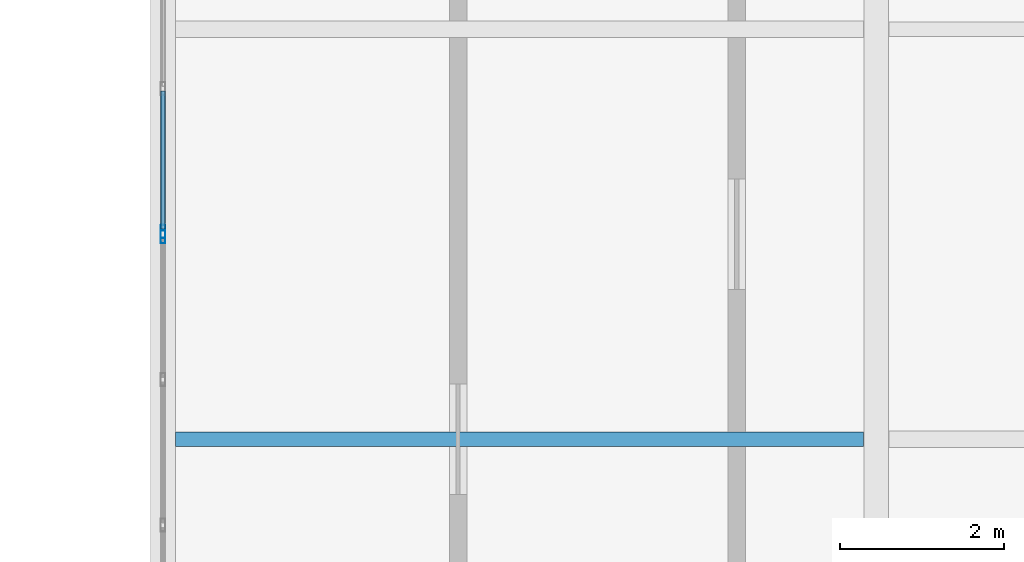
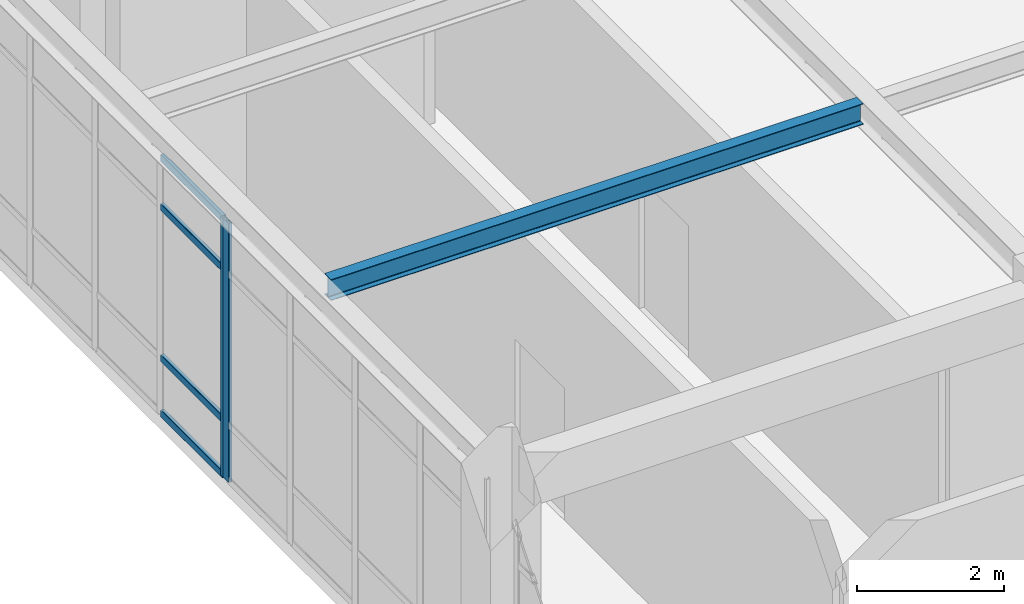
# One storey, part 26 of 96: 6 members, 1 beam, 2 elements without a shape of their own.
"""IFC4 building model written with IfcOpenShell, lengths in metres."""

from ifc_helpers import new_model, si_unit, derived_unit, direction, frame, origin, origin_2d, place, context, subcontext, project, spatial, hollow_rectangle, i_section, extrude, material, layer, layer_set, material_profile, profile_set, type_object, element, aggregate, save


model = new_model("IFC4")

# Units and contexts
model_context = context("Model", 3, precision=1e-05, world=origin(), true_north=direction((0.0, 1.0)))
body_context = subcontext(model_context, "Body", "Model", "MODEL_VIEW")
ifc_project = project(units=[si_unit("LENGTHUNIT", "METRE"), si_unit("AREAUNIT", "SQUARE_METRE"), si_unit("VOLUMEUNIT", "CUBIC_METRE"), si_unit("PLANEANGLEUNIT", "RADIAN"), si_unit("MASSUNIT", "GRAM", prefix="KILO"), derived_unit("THERMALTRANSMITTANCEUNIT", [(si_unit("MASSUNIT", "GRAM", prefix="KILO"), 1), (si_unit("TIMEUNIT", "SECOND"), -3), (si_unit("THERMODYNAMICTEMPERATUREUNIT", "KELVIN"), -1)])], contexts=[model_context])

# Site, building, storey
site_placement = place(None, origin())
site = spatial("IfcSite", under=ifc_project, at=site_placement, CompositionType="ELEMENT")
building_placement = place(site_placement, origin())
building = spatial("IfcBuilding", under=site, at=building_placement, Name="Qinzheling Arcade Emporium", CompositionType="ELEMENT")
storey_placement = place(building_placement, frame((0.0, 0.0, 21.60009765625)))
storey = spatial("IfcBuildingStorey", under=building, at=storey_placement, Name="L05", CompositionType="ELEMENT", Elevation=21.60009765625)

# Beam
ifc_material_1 = material(Name="Structural steel Q355B", Category="steel")
ifc_material_profile_1 = material_profile(ifc_material_1, i_section(OverallWidth=0.175048828125, OverallDepth=0.35009765625, WebThickness=0.007080078125, FlangeThickness=0.010986328125, FilletRadius=0.013916015625, at=origin_2d()), Name="HN 350x175x7x11", Category="steel")
ifc_profile_set_1 = profile_set([ifc_material_profile_1], Name="Structural steel Q355B")
beam_type = type_object("IfcBeamType", Name="Canopy Secondary Joist HN350 Q355B", PredefinedType="JOIST", material=ifc_profile_set_1)
beam_placement = place(storey_placement, frame((34.955078125, 55.39990234375, 4.64501953125), z_axis=(1.0, 0.0, 0.0), x_axis=(0.0, 1.0, 0.0)))
element("IfcBeam", 1, at=beam_placement, inside=storey, type_object=beam_type, Name="Secondary Joist JST-L05-5-1", PredefinedType="JOIST", context=body_context, shape_type="SweptSolid", body=[
    extrude(i_section(OverallWidth=0.175048828125, OverallDepth=0.35009765625, WebThickness=0.007080078125, FlangeThickness=0.010986328125, FilletRadius=0.013916015625, at=origin_2d()), origin(), (0.0, 0.0, 1.0), 8.389892578125),
])

# Curtain wall, member
ifc_material_2 = material(Name="Anodised aluminium and solar-control double glazing", Category="aluminium")
ifc_layer = layer(ifc_material_2, 0.159912109375, Name="Anodised aluminium and solar-control double glazing", Category="aluminium")
ifc_layer_set = layer_set([ifc_layer], Name="Anodised aluminium and solar-control double glazing")
curtain_wall_type = type_object("IfcCurtainWallType", Name="Atrium Clerestory Curtain Wall", PredefinedType="NOTDEFINED", material=ifc_layer_set)
curtain_wall_1_placement = place(storey_placement, origin())
curtain_wall_1 = element("IfcCurtainWall", 2, at=curtain_wall_1_placement, inside=storey, type_object=curtain_wall_type, Name="Curtain Wall CW-L05-317", PredefinedType="NOTDEFINED")
ifc_material_3 = material(Name="Anodised aluminium 6063-T6", Category="aluminium")
ifc_material_profile_2 = material_profile(ifc_material_3, hollow_rectangle(XDim=0.06005859375, YDim=0.159912109375, WallThickness=0.00390625, InnerFilletRadius=0.00390625, OuterFilletRadius=0.008056640625, at=origin_2d()), Name="RHS 160x60x4", Category="aluminium")
ifc_profile_set_2 = profile_set([ifc_material_profile_2], Name="Anodised aluminium 6063-T6")
member_type_1 = type_object("IfcMemberType", Name="Curtain Wall Mullion RHS160x60", PredefinedType="MULLION", material=ifc_profile_set_2)
member_1_placement = place(storey_placement, frame((34.800048828125, 57.867919921875, 0.0), z_axis=(0.0, 0.0, 1.0), x_axis=(-1.0, 0.0, 0.0)))
member_1 = element("IfcMember", 3, at=member_1_placement, type_object=member_type_1, Name="CW03 mullion 5", PredefinedType="MULLION", context=body_context, shape_type="SweptSolid", body=[
    extrude(hollow_rectangle(XDim=0.06005859375, YDim=0.159912109375, WallThickness=0.00390625, InnerFilletRadius=0.00390625, OuterFilletRadius=0.008056640625, at=origin_2d()), origin(), (0.0, 0.0, 1.0), 4.31689453125),
])
aggregate(curtain_wall_1, [member_1])

# Curtain wall, members
curtain_wall_2_placement = place(storey_placement, origin())
curtain_wall_2 = element("IfcCurtainWall", 4, at=curtain_wall_2_placement, inside=storey, type_object=curtain_wall_type, Name="Curtain Wall CW-L05-318", PredefinedType="NOTDEFINED")
member_2_placement = place(storey_placement, frame((34.800048828125, 57.931884765625, 0.0), z_axis=(0.0, 0.0, 1.0), x_axis=(-1.0, 0.0, 0.0)))
member_2 = element("IfcMember", 5, at=member_2_placement, type_object=member_type_1, Name="CW03 mullion 1", PredefinedType="MULLION", context=body_context, shape_type="SweptSolid", body=[
    extrude(hollow_rectangle(XDim=0.06005859375, YDim=0.159912109375, WallThickness=0.00390625, InnerFilletRadius=0.00390625, OuterFilletRadius=0.008056640625, at=origin_2d()), origin(), (0.0, 0.0, 1.0), 4.31689453125),
])
ifc_material_profile_3 = material_profile(ifc_material_3, hollow_rectangle(XDim=0.06005859375, YDim=0.1201171875, WallThickness=0.00390625, InnerFilletRadius=0.00390625, OuterFilletRadius=0.008056640625, at=origin_2d()), Name="RHS 120x60x4", Category="aluminium")
ifc_profile_set_3 = profile_set([ifc_material_profile_3], Name="Anodised aluminium 6063-T6")
member_type_2 = type_object("IfcMemberType", Name="Curtain Wall Transom RHS120x60", PredefinedType="USERDEFINED", material=ifc_profile_set_3)
member_3_placement = place(storey_placement, frame((34.800048828125, 57.9619140625, 0.02978515625), z_axis=(0.0, 1.0, 0.0), x_axis=(-1.0, 0.0, 0.0)))
member_3 = element("IfcMember", 6, at=member_3_placement, type_object=member_type_2, Name="CW03 transom 1.1", ObjectType="TRANSOM", PredefinedType="USERDEFINED", context=body_context, shape_type="SweptSolid", body=[
    extrude(hollow_rectangle(XDim=0.06005859375, YDim=0.1201171875, WallThickness=0.00390625, InnerFilletRadius=0.00390625, OuterFilletRadius=0.008056640625, at=origin_2d()), origin(), (0.0, 0.0, 1.0), 1.68408203125),
])
member_4_placement = place(storey_placement, frame((34.800048828125, 57.9619140625, 0.949951171875), z_axis=(0.0, 1.0, 0.0), x_axis=(-1.0, 0.0, 0.0)))
member_4 = element("IfcMember", 7, at=member_4_placement, type_object=member_type_2, Name="CW03 transom 1.2", ObjectType="TRANSOM", PredefinedType="USERDEFINED", context=body_context, shape_type="SweptSolid", body=[
    extrude(hollow_rectangle(XDim=0.06005859375, YDim=0.1201171875, WallThickness=0.00390625, InnerFilletRadius=0.00390625, OuterFilletRadius=0.008056640625, at=origin_2d()), origin(), (0.0, 0.0, 1.0), 1.68408203125),
])
member_5_placement = place(storey_placement, frame((34.800048828125, 57.9619140625, 3.466796875), z_axis=(0.0, 1.0, 0.0), x_axis=(-1.0, 0.0, 0.0)))
member_5 = element("IfcMember", 8, at=member_5_placement, type_object=member_type_2, Name="CW03 transom 1.3", ObjectType="TRANSOM", PredefinedType="USERDEFINED", context=body_context, shape_type="SweptSolid", body=[
    extrude(hollow_rectangle(XDim=0.06005859375, YDim=0.1201171875, WallThickness=0.00390625, InnerFilletRadius=0.00390625, OuterFilletRadius=0.008056640625, at=origin_2d()), origin(), (0.0, 0.0, 1.0), 1.68408203125),
])
member_6_placement = place(storey_placement, frame((34.800048828125, 57.9619140625, 4.286865234375), z_axis=(0.0, 1.0, 0.0), x_axis=(-1.0, 0.0, 0.0)))
member_6 = element("IfcMember", 9, at=member_6_placement, type_object=member_type_2, Name="CW03 transom 1.4", ObjectType="TRANSOM", PredefinedType="USERDEFINED", context=body_context, shape_type="SweptSolid", body=[
    extrude(hollow_rectangle(XDim=0.06005859375, YDim=0.1201171875, WallThickness=0.00390625, InnerFilletRadius=0.00390625, OuterFilletRadius=0.008056640625, at=origin_2d()), origin(), (0.0, 0.0, 1.0), 1.68408203125),
])
aggregate(curtain_wall_2, [member_2, member_3, member_4, member_5, member_6])

save(model, "model.ifc")
